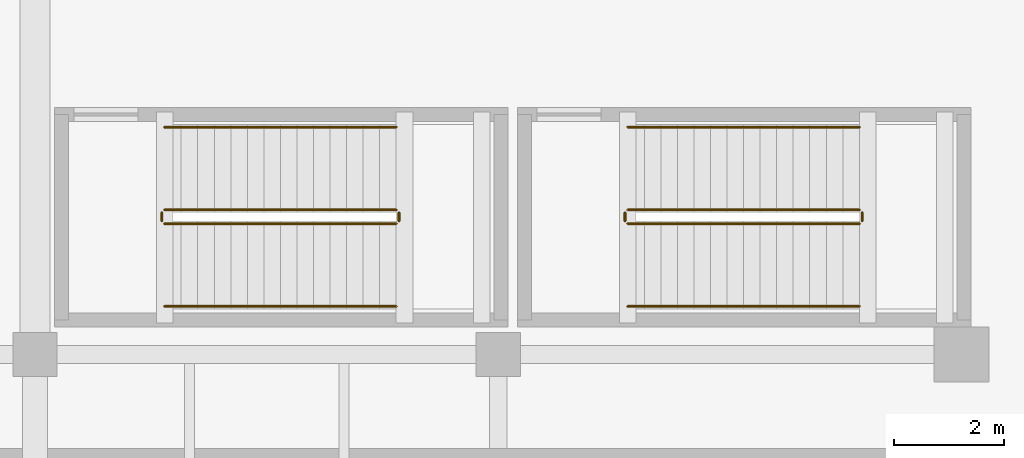
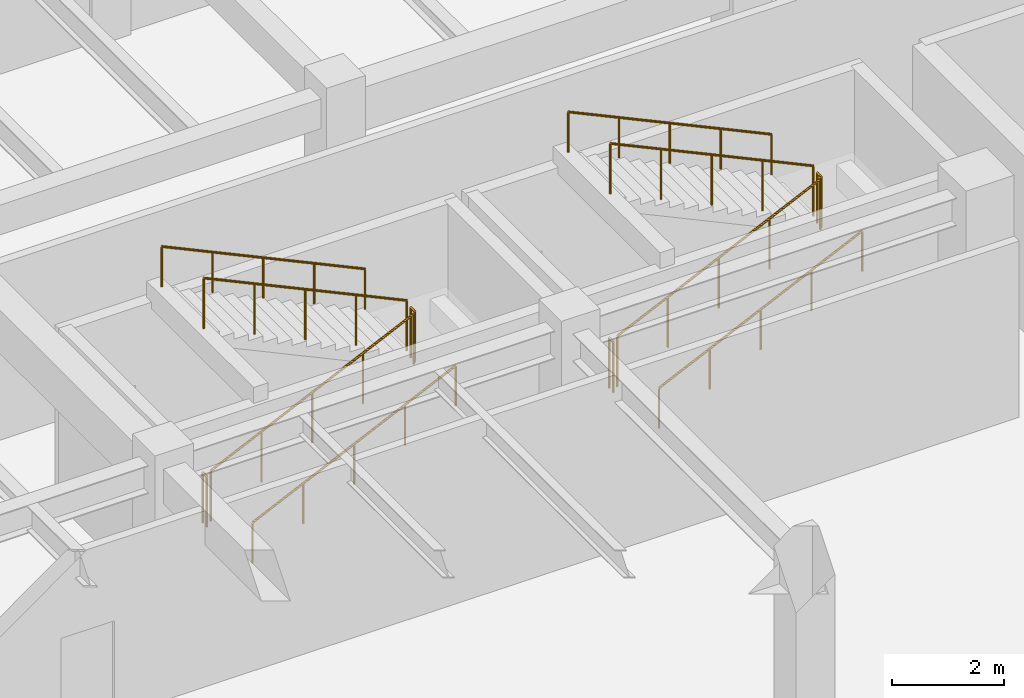
# One storey, part 55 of 63: 12 railings.
"""IFC4 building model written with IfcOpenShell, lengths in metres."""

from ifc_helpers import new_model, si_unit, direction, frame, origin, origin_2d, place, context, subcontext, project, spatial, circle, extrude, material, type_object, element, save


model = new_model("IFC4")

# Units and contexts
model_context = context("Model", 3, precision=1e-05, world=origin(), true_north=direction((0.0, 1.0)))
body_context = subcontext(model_context, "Body", "Model", "MODEL_VIEW")
ifc_project = project(units=[si_unit("LENGTHUNIT", "METRE"), si_unit("AREAUNIT", "SQUARE_METRE"), si_unit("VOLUMEUNIT", "CUBIC_METRE"), si_unit("PLANEANGLEUNIT", "RADIAN"), si_unit("MASSUNIT", "GRAM", prefix="KILO")], contexts=[model_context])

# Site, building, storey
site_placement = place(None, origin())
site = spatial("IfcSite", under=ifc_project, at=site_placement, CompositionType="ELEMENT")
building_placement = place(site_placement, origin())
building = spatial("IfcBuilding", under=site, at=building_placement, Name="Cumbredor Promenade Congress Hotel", CompositionType="ELEMENT")
storey_placement = place(building_placement, frame((0.0, 0.0, -4.199951171875)))
storey = spatial("IfcBuildingStorey", under=building, at=storey_placement, Name="B01", CompositionType="ELEMENT", Elevation=-4.199951171875)

# Railings
ifc_material = material(Name="Brushed stainless steel", Category="steel")
railing_type_1 = type_object("IfcRailingType", Name="Interior Void & Stair Guardrail GR-1100", PredefinedType="GUARDRAIL", material=ifc_material)
railing_1_placement = place(storey_placement, frame((10.75, 103.169921875, 0.139892578125)))
element("IfcRailing", 1, at=railing_1_placement, inside=storey, type_object=railing_type_1, Name="B01 ST-01 stair guard 1", PredefinedType="GUARDRAIL", context=body_context, shape_type="SweptSolid", body=[
    extrude(circle(Radius=0.02392578125, at=origin_2d()), frame((0.0, 0.0, 1.09619140625), z_axis=(0.906184485727, 0.0, 0.422882581609), x_axis=(0.0, 1.0, 0.0)), (0.0, 0.0, 1.0), 4.634765625),
    extrude(circle(Radius=0.02099609375, at=origin_2d()), origin(), (0.0, 0.0, 1.0), 1.072021484375),
    extrude(circle(Radius=0.02099609375, at=origin_2d()), frame((1.050048828125, 0.0, 0.489990234375)), (0.0, 0.0, 1.0), 1.072021484375),
    extrude(circle(Radius=0.02099609375, at=origin_2d()), frame((2.10009765625, 0.0, 0.97998046875)), (0.0, 0.0, 1.0), 1.072021484375),
    extrude(circle(Radius=0.02099609375, at=origin_2d()), frame((3.14990234375, 0.0, 1.469970703125)), (0.0, 0.0, 1.0), 1.072021484375),
    extrude(circle(Radius=0.02099609375, at=origin_2d()), frame((4.199951171875, 0.0, 1.9599609375)), (0.0, 0.0, 1.0), 1.072021484375),
])
railing_2_placement = place(storey_placement, frame((15.0, 103.219970703125, 2.099853515625)))
element("IfcRailing", 2, at=railing_2_placement, inside=storey, type_object=railing_type_1, Name="B01 ST-01 stair guard 2", PredefinedType="GUARDRAIL", context=body_context, shape_type="SweptSolid", body=[
    extrude(circle(Radius=0.02392578125, at=origin_2d()), frame((0.0, 0.0, 1.09619140625), z_axis=(0.0, 1.0, 0.0), x_axis=(-1.0, 0.0, 0.0)), (0.0, 0.0, 1.0), 0.150146484375),
    extrude(circle(Radius=0.02099609375, at=origin_2d()), origin(), (0.0, 0.0, 1.0), 1.072021484375),
    extrude(circle(Radius=0.02099609375, at=origin_2d()), frame((0.0, 0.150146484375, 0.0)), (0.0, 0.0, 1.0), 1.072021484375),
])
railing_3_placement = place(storey_placement, frame((14.949951171875, 103.419921875, 2.239990234375)))
element("IfcRailing", 3, at=railing_3_placement, inside=storey, type_object=railing_type_1, Name="B01 ST-01 stair guard 3", PredefinedType="GUARDRAIL", context=body_context, shape_type="SweptSolid", body=[
    extrude(circle(Radius=0.02392578125, at=origin_2d()), frame((0.0, 0.0, 1.09619140625), z_axis=(-0.906184485727, 0.0, 0.422882581609), x_axis=(0.0, -1.0, 0.0)), (0.0, 0.0, 1.0), 4.634765625),
    extrude(circle(Radius=0.02099609375, at=origin_2d()), origin(), (0.0, 0.0, 1.0), 1.072021484375),
    extrude(circle(Radius=0.02099609375, at=origin_2d()), frame((-1.050048828125, 0.0, 0.489990234375)), (0.0, 0.0, 1.0), 1.072021484375),
    extrude(circle(Radius=0.02099609375, at=origin_2d()), frame((-2.10009765625, 0.0, 0.97998046875)), (0.0, 0.0, 1.0), 1.072021484375),
    extrude(circle(Radius=0.02099609375, at=origin_2d()), frame((-3.14990234375, 0.0, 1.469970703125)), (0.0, 0.0, 1.0), 1.072021484375),
    extrude(circle(Radius=0.02099609375, at=origin_2d()), frame((-4.199951171875, 0.0, 1.9599609375)), (0.0, 0.0, 1.0), 1.072021484375),
])
railing_4_placement = place(storey_placement, frame((10.699951171875, 103.219970703125, 0.0)))
element("IfcRailing", 4, at=railing_4_placement, inside=storey, type_object=railing_type_1, Name="B01 ST-01 stair guard 4", PredefinedType="GUARDRAIL", context=body_context, shape_type="SweptSolid", body=[
    extrude(circle(Radius=0.02392578125, at=origin_2d()), frame((0.0, 0.0, 1.09619140625), z_axis=(0.0, 1.0, 0.0), x_axis=(-1.0, 0.0, 0.0)), (0.0, 0.0, 1.0), 0.150146484375),
    extrude(circle(Radius=0.02099609375, at=origin_2d()), origin(), (0.0, 0.0, 1.0), 1.072021484375),
    extrude(circle(Radius=0.02099609375, at=origin_2d()), frame((0.0, 0.150146484375, 0.0)), (0.0, 0.0, 1.0), 1.072021484375),
])
railing_5_placement = place(storey_placement, frame((19.14990234375, 103.169921875, 0.139892578125)))
element("IfcRailing", 5, at=railing_5_placement, inside=storey, type_object=railing_type_1, Name="B01 ST-02 stair guard 1", PredefinedType="GUARDRAIL", context=body_context, shape_type="SweptSolid", body=[
    extrude(circle(Radius=0.02392578125, at=origin_2d()), frame((0.0, 0.0, 1.09619140625), z_axis=(0.906193905077, 0.0, 0.422862396533), x_axis=(0.0, 1.0, 0.0)), (0.0, 0.0, 1.0), 4.635009765625),
    extrude(circle(Radius=0.02099609375, at=origin_2d()), origin(), (0.0, 0.0, 1.0), 1.072021484375),
    extrude(circle(Radius=0.02099609375, at=origin_2d()), frame((1.050048828125, 0.0, 0.489990234375)), (0.0, 0.0, 1.0), 1.072021484375),
    extrude(circle(Radius=0.02099609375, at=origin_2d()), frame((2.10009765625, 0.0, 0.97998046875)), (0.0, 0.0, 1.0), 1.072021484375),
    extrude(circle(Radius=0.02099609375, at=origin_2d()), frame((3.150146484375, 0.0, 1.469970703125)), (0.0, 0.0, 1.0), 1.072021484375),
    extrude(circle(Radius=0.02099609375, at=origin_2d()), frame((4.2001953125, 0.0, 1.9599609375)), (0.0, 0.0, 1.0), 1.072021484375),
])
railing_6_placement = place(storey_placement, frame((23.39990234375, 103.219970703125, 2.099853515625)))
element("IfcRailing", 6, at=railing_6_placement, inside=storey, type_object=railing_type_1, Name="B01 ST-02 stair guard 2", PredefinedType="GUARDRAIL", context=body_context, shape_type="SweptSolid", body=[
    extrude(circle(Radius=0.02392578125, at=origin_2d()), frame((0.0, 0.0, 1.09619140625), z_axis=(0.0, 1.0, 0.0), x_axis=(-1.0, 0.0, 0.0)), (0.0, 0.0, 1.0), 0.150146484375),
    extrude(circle(Radius=0.02099609375, at=origin_2d()), origin(), (0.0, 0.0, 1.0), 1.072021484375),
    extrude(circle(Radius=0.02099609375, at=origin_2d()), frame((0.0, 0.150146484375, 0.0)), (0.0, 0.0, 1.0), 1.072021484375),
])
railing_7_placement = place(storey_placement, frame((23.35009765625, 103.419921875, 2.239990234375)))
element("IfcRailing", 7, at=railing_7_placement, inside=storey, type_object=railing_type_1, Name="B01 ST-02 stair guard 3", PredefinedType="GUARDRAIL", context=body_context, shape_type="SweptSolid", body=[
    extrude(circle(Radius=0.02392578125, at=origin_2d()), frame((0.0, 0.0, 1.09619140625), z_axis=(-0.906193905077, 0.0, 0.422862396533), x_axis=(0.0, -1.0, 0.0)), (0.0, 0.0, 1.0), 4.635009765625),
    extrude(circle(Radius=0.02099609375, at=origin_2d()), origin(), (0.0, 0.0, 1.0), 1.072021484375),
    extrude(circle(Radius=0.02099609375, at=origin_2d()), frame((-1.050048828125, 0.0, 0.489990234375)), (0.0, 0.0, 1.0), 1.072021484375),
    extrude(circle(Radius=0.02099609375, at=origin_2d()), frame((-2.10009765625, 0.0, 0.97998046875)), (0.0, 0.0, 1.0), 1.072021484375),
    extrude(circle(Radius=0.02099609375, at=origin_2d()), frame((-3.150146484375, 0.0, 1.469970703125)), (0.0, 0.0, 1.0), 1.072021484375),
    extrude(circle(Radius=0.02099609375, at=origin_2d()), frame((-4.2001953125, 0.0, 1.9599609375)), (0.0, 0.0, 1.0), 1.072021484375),
])
railing_8_placement = place(storey_placement, frame((19.10009765625, 103.219970703125, 0.0)))
element("IfcRailing", 8, at=railing_8_placement, inside=storey, type_object=railing_type_1, Name="B01 ST-02 stair guard 4", PredefinedType="GUARDRAIL", context=body_context, shape_type="SweptSolid", body=[
    extrude(circle(Radius=0.02392578125, at=origin_2d()), frame((0.0, 0.0, 1.09619140625), z_axis=(0.0, 1.0, 0.0), x_axis=(-1.0, 0.0, 0.0)), (0.0, 0.0, 1.0), 0.150146484375),
    extrude(circle(Radius=0.02099609375, at=origin_2d()), origin(), (0.0, 0.0, 1.0), 1.072021484375),
    extrude(circle(Radius=0.02099609375, at=origin_2d()), frame((0.0, 0.150146484375, 0.0)), (0.0, 0.0, 1.0), 1.072021484375),
])
railing_type_2 = type_object("IfcRailingType", Name="Stair Pitch Handrail HR-900", PredefinedType="HANDRAIL", material=ifc_material)
railing_9_placement = place(storey_placement, frame((10.75, 101.669921875, 0.139892578125)))
element("IfcRailing", 9, at=railing_9_placement, inside=storey, type_object=railing_type_2, Name="B01 ST-01 stair handrail 1", PredefinedType="HANDRAIL", context=body_context, shape_type="SweptSolid", body=[
    extrude(circle(Radius=0.02392578125, at=origin_2d()), frame((0.0, 0.0, 0.8759765625), z_axis=(0.906184485727, 0.0, 0.422882581609), x_axis=(0.0, 1.0, 0.0)), (0.0, 0.0, 1.0), 4.634765625),
    extrude(circle(Radius=0.02099609375, at=origin_2d()), origin(), (0.0, 0.0, 1.0), 0.851806640625),
    extrude(circle(Radius=0.02099609375, at=origin_2d()), frame((1.050048828125, 0.0, 0.489990234375)), (0.0, 0.0, 1.0), 0.851806640625),
    extrude(circle(Radius=0.02099609375, at=origin_2d()), frame((2.10009765625, 0.0, 0.97998046875)), (0.0, 0.0, 1.0), 0.851806640625),
    extrude(circle(Radius=0.02099609375, at=origin_2d()), frame((3.14990234375, 0.0, 1.469970703125)), (0.0, 0.0, 1.0), 0.851806640625),
    extrude(circle(Radius=0.02099609375, at=origin_2d()), frame((4.199951171875, 0.0, 1.9599609375)), (0.0, 0.0, 1.0), 0.851806640625),
])
railing_10_placement = place(storey_placement, frame((14.949951171875, 104.919921875, 2.239990234375)))
element("IfcRailing", 10, at=railing_10_placement, inside=storey, type_object=railing_type_2, Name="B01 ST-01 stair handrail 2", PredefinedType="HANDRAIL", context=body_context, shape_type="SweptSolid", body=[
    extrude(circle(Radius=0.02392578125, at=origin_2d()), frame((0.0, 0.0, 0.8759765625), z_axis=(-0.906184485727, 0.0, 0.422882581609), x_axis=(0.0, -1.0, 0.0)), (0.0, 0.0, 1.0), 4.634765625),
    extrude(circle(Radius=0.02099609375, at=origin_2d()), origin(), (0.0, 0.0, 1.0), 0.851806640625),
    extrude(circle(Radius=0.02099609375, at=origin_2d()), frame((-1.050048828125, 0.0, 0.489990234375)), (0.0, 0.0, 1.0), 0.851806640625),
    extrude(circle(Radius=0.02099609375, at=origin_2d()), frame((-2.10009765625, 0.0, 0.97998046875)), (0.0, 0.0, 1.0), 0.851806640625),
    extrude(circle(Radius=0.02099609375, at=origin_2d()), frame((-3.14990234375, 0.0, 1.469970703125)), (0.0, 0.0, 1.0), 0.851806640625),
    extrude(circle(Radius=0.02099609375, at=origin_2d()), frame((-4.199951171875, 0.0, 1.9599609375)), (0.0, 0.0, 1.0), 0.851806640625),
])
railing_11_placement = place(storey_placement, frame((19.14990234375, 101.669921875, 0.139892578125)))
element("IfcRailing", 11, at=railing_11_placement, inside=storey, type_object=railing_type_2, Name="B01 ST-02 stair handrail 1", PredefinedType="HANDRAIL", context=body_context, shape_type="SweptSolid", body=[
    extrude(circle(Radius=0.02392578125, at=origin_2d()), frame((0.0, 0.0, 0.8759765625), z_axis=(0.906193905077, 0.0, 0.422862396533), x_axis=(0.0, 1.0, 0.0)), (0.0, 0.0, 1.0), 4.635009765625),
    extrude(circle(Radius=0.02099609375, at=origin_2d()), origin(), (0.0, 0.0, 1.0), 0.851806640625),
    extrude(circle(Radius=0.02099609375, at=origin_2d()), frame((1.050048828125, 0.0, 0.489990234375)), (0.0, 0.0, 1.0), 0.851806640625),
    extrude(circle(Radius=0.02099609375, at=origin_2d()), frame((2.10009765625, 0.0, 0.97998046875)), (0.0, 0.0, 1.0), 0.851806640625),
    extrude(circle(Radius=0.02099609375, at=origin_2d()), frame((3.150146484375, 0.0, 1.469970703125)), (0.0, 0.0, 1.0), 0.851806640625),
    extrude(circle(Radius=0.02099609375, at=origin_2d()), frame((4.2001953125, 0.0, 1.9599609375)), (0.0, 0.0, 1.0), 0.851806640625),
])
railing_12_placement = place(storey_placement, frame((23.35009765625, 104.919921875, 2.239990234375)))
element("IfcRailing", 12, at=railing_12_placement, inside=storey, type_object=railing_type_2, Name="B01 ST-02 stair handrail 2", PredefinedType="HANDRAIL", context=body_context, shape_type="SweptSolid", body=[
    extrude(circle(Radius=0.02392578125, at=origin_2d()), frame((0.0, 0.0, 0.8759765625), z_axis=(-0.906193905077, 0.0, 0.422862396533), x_axis=(0.0, -1.0, 0.0)), (0.0, 0.0, 1.0), 4.635009765625),
    extrude(circle(Radius=0.02099609375, at=origin_2d()), origin(), (0.0, 0.0, 1.0), 0.851806640625),
    extrude(circle(Radius=0.02099609375, at=origin_2d()), frame((-1.050048828125, 0.0, 0.489990234375)), (0.0, 0.0, 1.0), 0.851806640625),
    extrude(circle(Radius=0.02099609375, at=origin_2d()), frame((-2.10009765625, 0.0, 0.97998046875)), (0.0, 0.0, 1.0), 0.851806640625),
    extrude(circle(Radius=0.02099609375, at=origin_2d()), frame((-3.150146484375, 0.0, 1.469970703125)), (0.0, 0.0, 1.0), 0.851806640625),
    extrude(circle(Radius=0.02099609375, at=origin_2d()), frame((-4.2001953125, 0.0, 1.9599609375)), (0.0, 0.0, 1.0), 0.851806640625),
])

save(model, "model.ifc")
